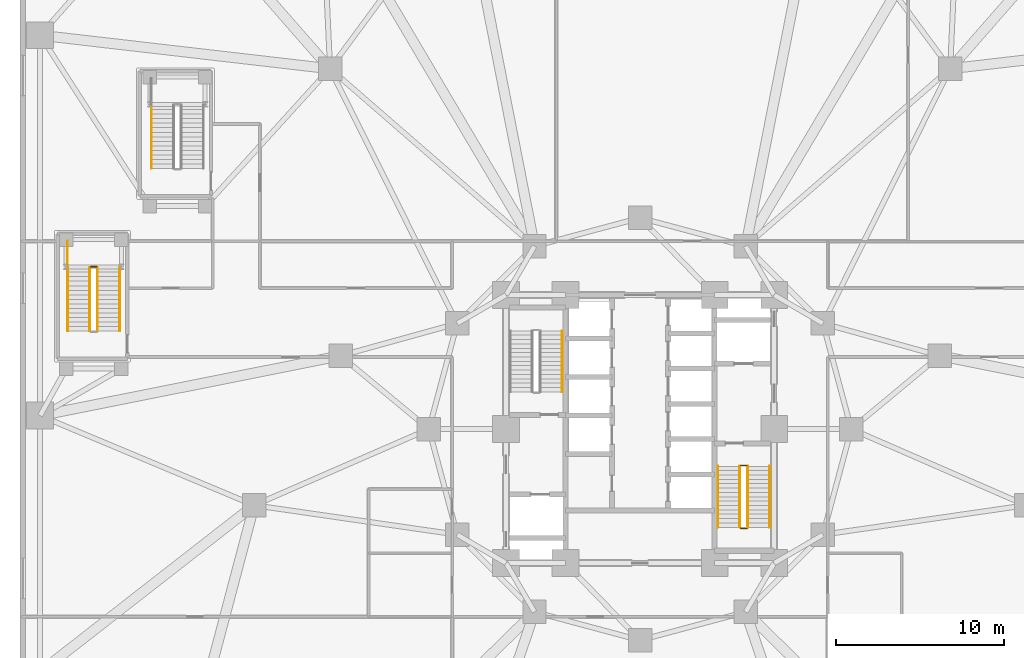
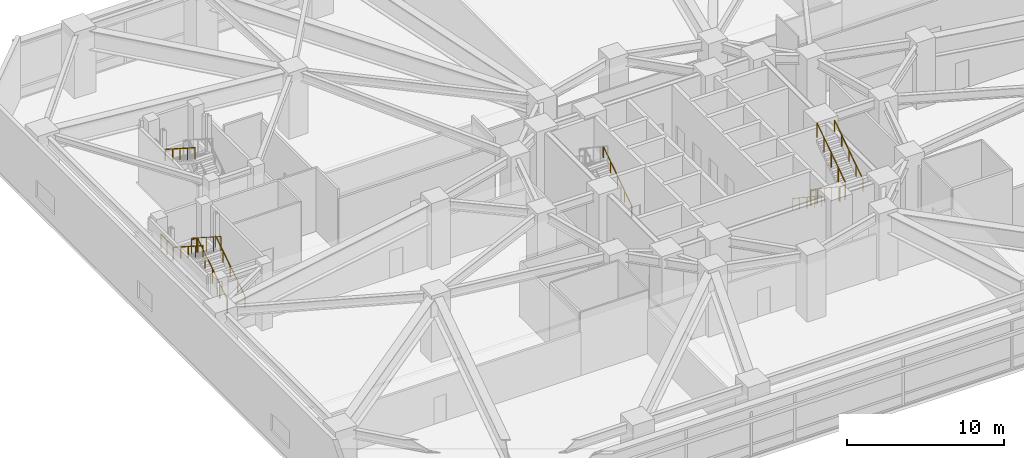
# One storey, part 24 of 27: 14 railings.
"""IFC4 building model written with IfcOpenShell, lengths in metres."""

from ifc_helpers import new_model, si_unit, direction, frame, origin, origin_2d, place, context, subcontext, project, spatial, circle, extrude, material, layer, layer_set, type_object, element, save


model = new_model("IFC4")

# Units and contexts
model_context = context("Model", 3, precision=1e-05, world=origin(), true_north=direction((0.0, 1.0)))
body_context = subcontext(model_context, "Body", "Model", "MODEL_VIEW")
ifc_project = project(units=[si_unit("LENGTHUNIT", "METRE"), si_unit("AREAUNIT", "SQUARE_METRE"), si_unit("VOLUMEUNIT", "CUBIC_METRE"), si_unit("PLANEANGLEUNIT", "RADIAN"), si_unit("MASSUNIT", "GRAM", prefix="KILO")], contexts=[model_context])

# Site, building, storey
site_placement = place(None, origin())
site = spatial("IfcSite", under=ifc_project, at=site_placement, CompositionType="ELEMENT")
building_placement = place(site_placement, origin())
building = spatial("IfcBuilding", under=site, at=building_placement, Name="Terralouvre Media Tower", CompositionType="ELEMENT")
storey_placement = place(building_placement, frame((0.0, 0.0, 5.199951171875)))
storey = spatial("IfcBuildingStorey", under=building, at=storey_placement, Name="L01", CompositionType="ELEMENT", Elevation=5.199951171875)

# Railings
ifc_material_1 = material(Name="Stainless steel 316 handrail and balustrade", Category="steel")
ifc_layer_1 = layer(ifc_material_1, 0.050048828125, Name="Stair Flight Wall Handrail HR-INT1")
ifc_layer_set_1 = layer_set([ifc_layer_1], Name="Stainless steel 316 handrail and balustrade")
railing_type_1 = type_object("IfcRailingType", Name="Stair Flight Wall Handrail HR-INT1", PredefinedType="HANDRAIL", material=ifc_layer_set_1)
railing_1_placement = place(storey_placement, frame((-4.64990234375, 2.219970703125, 0.17333984375)))
element("IfcRailing", 1, at=railing_1_placement, inside=storey, type_object=railing_type_1, Name="L01 ST-01 stair handrail 1", PredefinedType="HANDRAIL", context=body_context, shape_type="SweptSolid", body=[
    extrude(circle(Radius=0.02392578125, at=origin_2d()), frame((0.0, 0.0, 0.8759765625), z_axis=(0.0, 0.832050294338, 0.554700196225), x_axis=(-1.0, 0.0, 0.0)), (0.0, 0.0, 1.0), 4.375),
    extrude(circle(Radius=0.02099609375, at=origin_2d()), origin(), (0.0, 0.0, 1.0), 0.851806640625),
    extrude(circle(Radius=0.02099609375, at=origin_2d()), frame((0.0, 0.91015625, 0.606689453125)), (0.0, 0.0, 1.0), 0.851806640625),
    extrude(circle(Radius=0.02099609375, at=origin_2d()), frame((0.0, 1.820068359375, 1.21337890625)), (0.0, 0.0, 1.0), 0.851806640625),
    extrude(circle(Radius=0.02099609375, at=origin_2d()), frame((0.0, 2.72998046875, 1.820068359375)), (0.0, 0.0, 1.0), 0.851806640625),
    extrude(circle(Radius=0.02099609375, at=origin_2d()), frame((0.0, 3.64013671875, 2.4267578125)), (0.0, 0.0, 1.0), 0.851806640625),
])
railing_2_placement = place(storey_placement, frame((4.64990234375, -2.219970703125, 0.17333984375)))
element("IfcRailing", 2, at=railing_2_placement, inside=storey, type_object=railing_type_1, Name="L01 ST-02 stair handrail 1", PredefinedType="HANDRAIL", context=body_context, shape_type="SweptSolid", body=[
    extrude(circle(Radius=0.02392578125, at=origin_2d()), frame((0.0, 0.0, 0.8759765625), z_axis=(0.0, -0.832050294338, 0.554700196225), x_axis=(1.0, 0.0, 0.0)), (0.0, 0.0, 1.0), 4.375),
    extrude(circle(Radius=0.02099609375, at=origin_2d()), origin(), (0.0, 0.0, 1.0), 0.851806640625),
    extrude(circle(Radius=0.02099609375, at=origin_2d()), frame((0.0, -0.91015625, 0.606689453125)), (0.0, 0.0, 1.0), 0.851806640625),
    extrude(circle(Radius=0.02099609375, at=origin_2d()), frame((0.0, -1.820068359375, 1.21337890625)), (0.0, 0.0, 1.0), 0.851806640625),
    extrude(circle(Radius=0.02099609375, at=origin_2d()), frame((0.0, -2.72998046875, 1.820068359375)), (0.0, 0.0, 1.0), 0.851806640625),
    extrude(circle(Radius=0.02099609375, at=origin_2d()), frame((0.0, -3.64013671875, 2.4267578125)), (0.0, 0.0, 1.0), 0.851806640625),
])
railing_3_placement = place(storey_placement, frame((7.72998046875, -5.860107421875, 2.7734375)))
element("IfcRailing", 3, at=railing_3_placement, inside=storey, type_object=railing_type_1, Name="L01 ST-02 stair handrail 2", PredefinedType="HANDRAIL", context=body_context, shape_type="SweptSolid", body=[
    extrude(circle(Radius=0.02392578125, at=origin_2d()), frame((0.0, 0.0, 0.8759765625), z_axis=(0.0, 0.832076050322, 0.554661560305), x_axis=(-1.0, 0.0, 0.0)), (0.0, 0.0, 1.0), 4.374755859375),
    extrude(circle(Radius=0.02099609375, at=origin_2d()), origin(), (0.0, 0.0, 1.0), 0.851806640625),
    extrude(circle(Radius=0.02099609375, at=origin_2d()), frame((0.0, 0.91015625, 0.606689453125)), (0.0, 0.0, 1.0), 0.851806640625),
    extrude(circle(Radius=0.02099609375, at=origin_2d()), frame((0.0, 1.820068359375, 1.21337890625)), (0.0, 0.0, 1.0), 0.851806640625),
    extrude(circle(Radius=0.02099609375, at=origin_2d()), frame((0.0, 2.72998046875, 1.81982421875)), (0.0, 0.0, 1.0), 0.851806640625),
    extrude(circle(Radius=0.02099609375, at=origin_2d()), frame((0.0, 3.64013671875, 2.426513671875)), (0.0, 0.0, 1.0), 0.851806640625),
])
railing_4_placement = place(storey_placement, frame((-31.050048828125, 5.85009765625, 0.17333984375)))
element("IfcRailing", 4, at=railing_4_placement, inside=storey, type_object=railing_type_1, Name="L01 ST-03 stair handrail 1", PredefinedType="HANDRAIL", context=body_context, shape_type="SweptSolid", body=[
    extrude(circle(Radius=0.02392578125, at=origin_2d()), frame((0.0, 0.0, 0.8759765625), z_axis=(0.0, 0.841492677865, 0.540268519441), x_axis=(-1.0, 0.0, 0.0)), (0.0, 0.0, 1.0), 4.49169921875),
    extrude(circle(Radius=0.02099609375, at=origin_2d()), origin(), (0.0, 0.0, 1.0), 0.851806640625),
    extrude(circle(Radius=0.02099609375, at=origin_2d()), frame((0.0, 0.94482421875, 0.606689453125)), (0.0, 0.0, 1.0), 0.851806640625),
    extrude(circle(Radius=0.02099609375, at=origin_2d()), frame((0.0, 1.889892578125, 1.21337890625)), (0.0, 0.0, 1.0), 0.851806640625),
    extrude(circle(Radius=0.02099609375, at=origin_2d()), frame((0.0, 2.8349609375, 1.820068359375)), (0.0, 0.0, 1.0), 0.851806640625),
    extrude(circle(Radius=0.02099609375, at=origin_2d()), frame((0.0, 3.77978515625, 2.4267578125)), (0.0, 0.0, 1.0), 0.851806640625),
])
railing_5_placement = place(storey_placement, frame((-34.14990234375, 9.6298828125, 2.7734375)))
element("IfcRailing", 5, at=railing_5_placement, inside=storey, type_object=railing_type_1, Name="L01 ST-03 stair handrail 2", PredefinedType="HANDRAIL", context=body_context, shape_type="SweptSolid", body=[
    extrude(circle(Radius=0.02392578125, at=origin_2d()), frame((0.0, 0.0, 0.8759765625), z_axis=(0.0, -0.84151738831, 0.540230029868), x_axis=(1.0, 0.0, 0.0)), (0.0, 0.0, 1.0), 4.49169921875),
    extrude(circle(Radius=0.02099609375, at=origin_2d()), origin(), (0.0, 0.0, 1.0), 0.851806640625),
    extrude(circle(Radius=0.02099609375, at=origin_2d()), frame((0.0, -0.94482421875, 0.606689453125)), (0.0, 0.0, 1.0), 0.851806640625),
    extrude(circle(Radius=0.02099609375, at=origin_2d()), frame((0.0, -1.889892578125, 1.21337890625)), (0.0, 0.0, 1.0), 0.851806640625),
    extrude(circle(Radius=0.02099609375, at=origin_2d()), frame((0.0, -2.8349609375, 1.81982421875)), (0.0, 0.0, 1.0), 0.851806640625),
    extrude(circle(Radius=0.02099609375, at=origin_2d()), frame((0.0, -3.77978515625, 2.426513671875)), (0.0, 0.0, 1.0), 0.851806640625),
])
railing_6_placement = place(storey_placement, frame((-29.14990234375, 19.330078125, 2.7734375)))
element("IfcRailing", 6, at=railing_6_placement, inside=storey, type_object=railing_type_1, Name="L01 ST-06 stair handrail 2", PredefinedType="HANDRAIL", context=body_context, shape_type="SweptSolid", body=[
    extrude(circle(Radius=0.02392578125, at=origin_2d()), frame((0.0, 0.0, 0.8759765625), z_axis=(0.0, -0.84153325052, 0.540205320475), x_axis=(1.0, 0.0, 0.0)), (0.0, 0.0, 1.0), 4.491943359375),
    extrude(circle(Radius=0.02099609375, at=origin_2d()), origin(), (0.0, 0.0, 1.0), 0.851806640625),
    extrude(circle(Radius=0.02099609375, at=origin_2d()), frame((0.0, -0.945068359375, 0.606689453125)), (0.0, 0.0, 1.0), 0.851806640625),
    extrude(circle(Radius=0.02099609375, at=origin_2d()), frame((0.0, -1.89013671875, 1.21337890625)), (0.0, 0.0, 1.0), 0.851806640625),
    extrude(circle(Radius=0.02099609375, at=origin_2d()), frame((0.0, -2.8349609375, 1.81982421875)), (0.0, 0.0, 1.0), 0.851806640625),
    extrude(circle(Radius=0.02099609375, at=origin_2d()), frame((0.0, -3.780029296875, 2.426513671875)), (0.0, 0.0, 1.0), 0.851806640625),
])
ifc_material_2 = material(Name="Stainless steel 316 handrail and balustrade", Category="steel")
ifc_layer_2 = layer(ifc_material_2, 0.050048828125, Name="Stairwell Safety Guardrail GR-INT1")
ifc_layer_set_2 = layer_set([ifc_layer_2], Name="Stainless steel 316 handrail and balustrade")
railing_type_2 = type_object("IfcRailingType", Name="Stairwell Safety Guardrail GR-INT1", PredefinedType="GUARDRAIL", material=ifc_layer_set_2)
railing_7_placement = place(storey_placement, frame((5.949951171875, -2.219970703125, 0.17333984375)))
element("IfcRailing", 7, at=railing_7_placement, inside=storey, type_object=railing_type_2, Name="L01 ST-02 stair guard 1", PredefinedType="GUARDRAIL", context=body_context, shape_type="SweptSolid", body=[
    extrude(circle(Radius=0.02392578125, at=origin_2d()), frame((0.0, 0.0, 1.1259765625), z_axis=(0.0, -0.832050294338, 0.554700196225), x_axis=(1.0, 0.0, 0.0)), (0.0, 0.0, 1.0), 4.375),
    extrude(circle(Radius=0.02099609375, at=origin_2d()), origin(), (0.0, 0.0, 1.0), 1.101806640625),
    extrude(circle(Radius=0.02099609375, at=origin_2d()), frame((0.0, -0.91015625, 0.606689453125)), (0.0, 0.0, 1.0), 1.101806640625),
    extrude(circle(Radius=0.02099609375, at=origin_2d()), frame((0.0, -1.820068359375, 1.21337890625)), (0.0, 0.0, 1.0), 1.101806640625),
    extrude(circle(Radius=0.02099609375, at=origin_2d()), frame((0.0, -2.72998046875, 1.820068359375)), (0.0, 0.0, 1.0), 1.101806640625),
    extrude(circle(Radius=0.02099609375, at=origin_2d()), frame((0.0, -3.64013671875, 2.4267578125)), (0.0, 0.0, 1.0), 1.101806640625),
])
railing_8_placement = place(storey_placement, frame((6.0, -5.909912109375, 2.60009765625)))
element("IfcRailing", 8, at=railing_8_placement, inside=storey, type_object=railing_type_2, Name="L01 ST-02 stair guard 2", PredefinedType="GUARDRAIL", context=body_context, shape_type="SweptSolid", body=[
    extrude(circle(Radius=0.02392578125, at=origin_2d()), frame((0.0, 0.0, 1.1259765625), z_axis=(1.0, 0.0, 0.0), x_axis=(0.0, 1.0, 0.0)), (0.0, 0.0, 1.0), 0.3798828125),
    extrude(circle(Radius=0.02099609375, at=origin_2d()), origin(), (0.0, 0.0, 1.0), 1.101806640625),
    extrude(circle(Radius=0.02099609375, at=origin_2d()), frame((0.3798828125, 0.0, 0.0)), (0.0, 0.0, 1.0), 1.101806640625),
])
railing_9_placement = place(storey_placement, frame((6.429931640625, -5.860107421875, 2.7734375)))
element("IfcRailing", 9, at=railing_9_placement, inside=storey, type_object=railing_type_2, Name="L01 ST-02 stair guard 3", PredefinedType="GUARDRAIL", context=body_context, shape_type="SweptSolid", body=[
    extrude(circle(Radius=0.02392578125, at=origin_2d()), frame((0.0, 0.0, 1.1259765625), z_axis=(0.0, 0.832076050322, 0.554661560305), x_axis=(-1.0, 0.0, 0.0)), (0.0, 0.0, 1.0), 4.374755859375),
    extrude(circle(Radius=0.02099609375, at=origin_2d()), origin(), (0.0, 0.0, 1.0), 1.101806640625),
    extrude(circle(Radius=0.02099609375, at=origin_2d()), frame((0.0, 0.91015625, 0.606689453125)), (0.0, 0.0, 1.0), 1.101806640625),
    extrude(circle(Radius=0.02099609375, at=origin_2d()), frame((0.0, 1.820068359375, 1.21337890625)), (0.0, 0.0, 1.0), 1.101806640625),
    extrude(circle(Radius=0.02099609375, at=origin_2d()), frame((0.0, 2.72998046875, 1.81982421875)), (0.0, 0.0, 1.0), 1.101806640625),
    extrude(circle(Radius=0.02099609375, at=origin_2d()), frame((0.0, 3.64013671875, 2.426513671875)), (0.0, 0.0, 1.0), 1.101806640625),
])
railing_10_placement = place(storey_placement, frame((6.0, -2.169921875, 0.0)))
element("IfcRailing", 10, at=railing_10_placement, inside=storey, type_object=railing_type_2, Name="L01 ST-02 stair guard 4", PredefinedType="GUARDRAIL", context=body_context, shape_type="SweptSolid", body=[
    extrude(circle(Radius=0.02392578125, at=origin_2d()), frame((0.0, 0.0, 1.1259765625), z_axis=(1.0, 0.0, 0.0), x_axis=(0.0, 1.0, 0.0)), (0.0, 0.0, 1.0), 0.3798828125),
    extrude(circle(Radius=0.02099609375, at=origin_2d()), origin(), (0.0, 0.0, 1.0), 1.101806640625),
    extrude(circle(Radius=0.02099609375, at=origin_2d()), frame((0.3798828125, 0.0, 0.0)), (0.0, 0.0, 1.0), 1.101806640625),
])
railing_11_placement = place(storey_placement, frame((-32.3701171875, 5.85009765625, 0.17333984375)))
element("IfcRailing", 11, at=railing_11_placement, inside=storey, type_object=railing_type_2, Name="L01 ST-03 stair guard 1", PredefinedType="GUARDRAIL", context=body_context, shape_type="SweptSolid", body=[
    extrude(circle(Radius=0.02392578125, at=origin_2d()), frame((0.0, 0.0, 1.1259765625), z_axis=(0.0, 0.841492677865, 0.540268519441), x_axis=(-1.0, 0.0, 0.0)), (0.0, 0.0, 1.0), 4.49169921875),
    extrude(circle(Radius=0.02099609375, at=origin_2d()), origin(), (0.0, 0.0, 1.0), 1.101806640625),
    extrude(circle(Radius=0.02099609375, at=origin_2d()), frame((0.0, 0.94482421875, 0.606689453125)), (0.0, 0.0, 1.0), 1.101806640625),
    extrude(circle(Radius=0.02099609375, at=origin_2d()), frame((0.0, 1.889892578125, 1.21337890625)), (0.0, 0.0, 1.0), 1.101806640625),
    extrude(circle(Radius=0.02099609375, at=origin_2d()), frame((0.0, 2.8349609375, 1.820068359375)), (0.0, 0.0, 1.0), 1.101806640625),
    extrude(circle(Radius=0.02099609375, at=origin_2d()), frame((0.0, 3.77978515625, 2.4267578125)), (0.0, 0.0, 1.0), 1.101806640625),
])
railing_12_placement = place(storey_placement, frame((-32.419921875, 9.679931640625, 2.60009765625)))
element("IfcRailing", 12, at=railing_12_placement, inside=storey, type_object=railing_type_2, Name="L01 ST-03 stair guard 2", PredefinedType="GUARDRAIL", context=body_context, shape_type="SweptSolid", body=[
    extrude(circle(Radius=0.02392578125, at=origin_2d()), frame((0.0, 0.0, 1.1259765625), z_axis=(-1.0, 0.0, 0.0), x_axis=(0.0, -1.0, 0.0)), (0.0, 0.0, 1.0), 0.360107421875),
    extrude(circle(Radius=0.02099609375, at=origin_2d()), origin(), (0.0, 0.0, 1.0), 1.101806640625),
    extrude(circle(Radius=0.02099609375, at=origin_2d()), frame((-0.360107421875, 0.0, 0.0)), (0.0, 0.0, 1.0), 1.101806640625),
])
railing_13_placement = place(storey_placement, frame((-32.830078125, 9.6298828125, 2.7734375)))
element("IfcRailing", 13, at=railing_13_placement, inside=storey, type_object=railing_type_2, Name="L01 ST-03 stair guard 3", PredefinedType="GUARDRAIL", context=body_context, shape_type="SweptSolid", body=[
    extrude(circle(Radius=0.02392578125, at=origin_2d()), frame((0.0, 0.0, 1.1259765625), z_axis=(0.0, -0.84151738831, 0.540230029868), x_axis=(1.0, 0.0, 0.0)), (0.0, 0.0, 1.0), 4.49169921875),
    extrude(circle(Radius=0.02099609375, at=origin_2d()), origin(), (0.0, 0.0, 1.0), 1.101806640625),
    extrude(circle(Radius=0.02099609375, at=origin_2d()), frame((0.0, -0.94482421875, 0.606689453125)), (0.0, 0.0, 1.0), 1.101806640625),
    extrude(circle(Radius=0.02099609375, at=origin_2d()), frame((0.0, -1.889892578125, 1.21337890625)), (0.0, 0.0, 1.0), 1.101806640625),
    extrude(circle(Radius=0.02099609375, at=origin_2d()), frame((0.0, -2.8349609375, 1.81982421875)), (0.0, 0.0, 1.0), 1.101806640625),
    extrude(circle(Radius=0.02099609375, at=origin_2d()), frame((0.0, -3.77978515625, 2.426513671875)), (0.0, 0.0, 1.0), 1.101806640625),
])
railing_14_placement = place(storey_placement, frame((-34.159912109375, 9.669921875, 2.60009765625)))
element("IfcRailing", 14, at=railing_14_placement, inside=storey, type_object=railing_type_2, Name="L01 ST-03 Half-Landing Outer Guardrail", PredefinedType="GUARDRAIL", context=body_context, shape_type="SweptSolid", body=[
    extrude(circle(Radius=0.02392578125, at=origin_2d()), frame((0.0, 0.0, 1.1259765625), z_axis=(0.0, 1.0, 0.0), x_axis=(-1.0, 0.0, 0.0)), (0.0, 0.0, 1.0), 1.5400390625),
    extrude(circle(Radius=0.02099609375, at=origin_2d()), origin(), (0.0, 0.0, 1.0), 1.101806640625),
    extrude(circle(Radius=0.02099609375, at=origin_2d()), frame((0.0, 0.77001953125, 0.0)), (0.0, 0.0, 1.0), 1.101806640625),
    extrude(circle(Radius=0.02099609375, at=origin_2d()), frame((0.0, 1.5400390625, 0.0)), (0.0, 0.0, 1.0), 1.101806640625),
])

save(model, "model.ifc")
